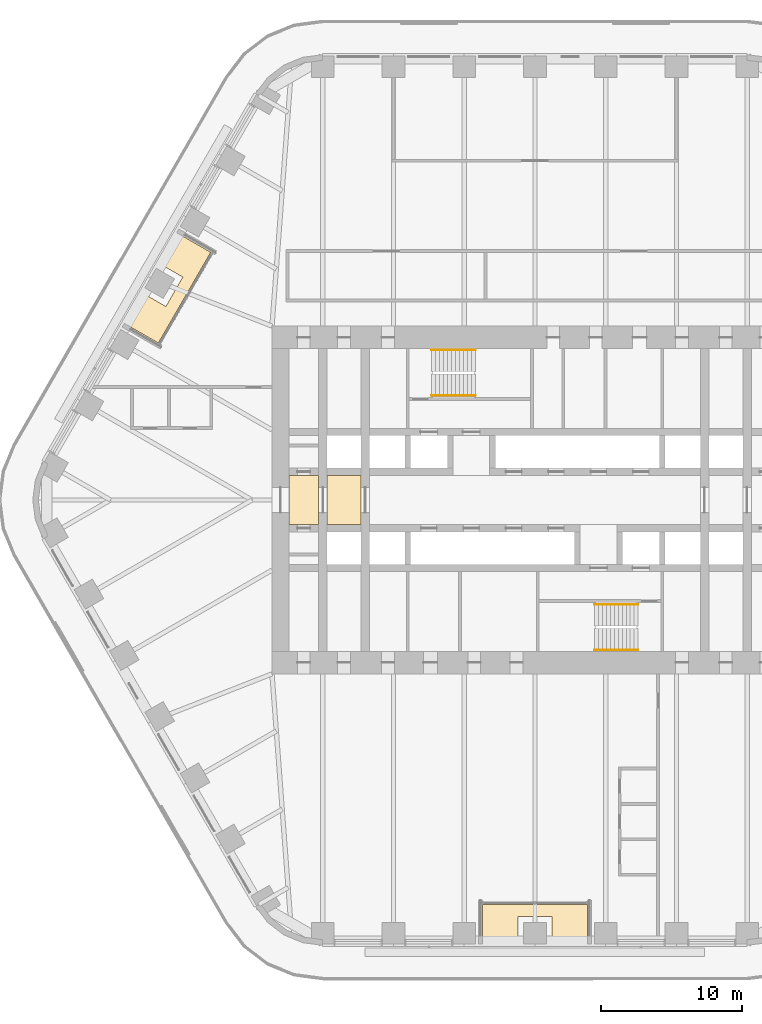
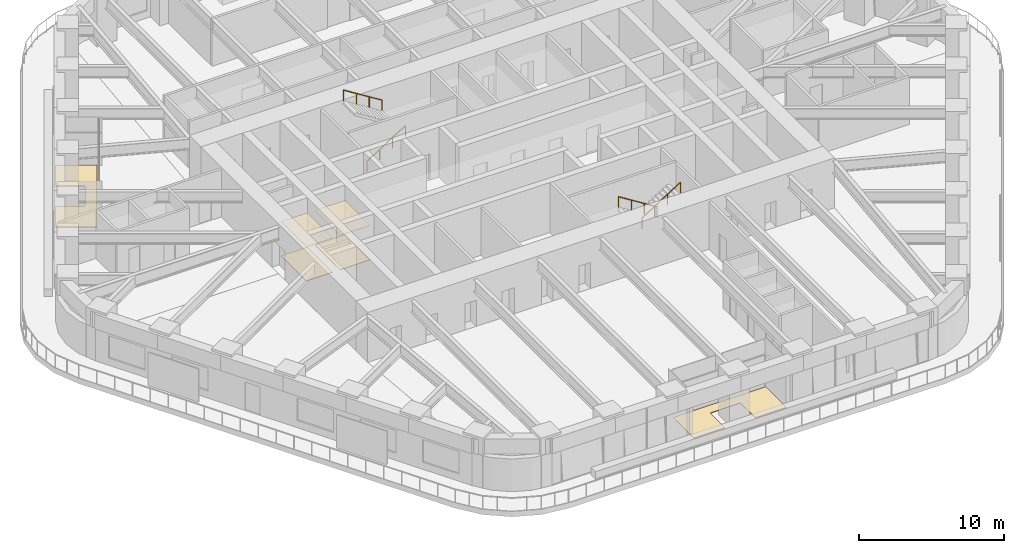
# One storey, part 22 of 24: 6 coverings, 4 railings.
"""IFC4 building model written with IfcOpenShell, lengths in metres."""

from ifc_helpers import new_model, si_unit, direction, frame, origin, origin_2d, place, context, subcontext, project, spatial, polyline, circle, outline, extrude, material, layer, layer_set, type_object, element, save


model = new_model("IFC4")

# Units and contexts
model_context = context("Model", 3, precision=1e-05, world=origin(), true_north=direction((0.0, 1.0)))
body_context = subcontext(model_context, "Body", "Model", "MODEL_VIEW")
ifc_project = project(units=[si_unit("LENGTHUNIT", "METRE"), si_unit("AREAUNIT", "SQUARE_METRE"), si_unit("VOLUMEUNIT", "CUBIC_METRE"), si_unit("PLANEANGLEUNIT", "RADIAN"), si_unit("MASSUNIT", "GRAM", prefix="KILO")], contexts=[model_context])

# Site, building, storey
site_placement = place(None, origin())
site = spatial("IfcSite", under=ifc_project, at=site_placement, CompositionType="ELEMENT")
building_placement = place(site_placement, origin())
building = spatial("IfcBuilding", under=site, at=building_placement, Name="Tarfa Lantern Tower", CompositionType="ELEMENT")
storey_placement = place(building_placement, frame((0.0, 0.0, 140.5)))
storey = spatial("IfcBuildingStorey", under=building, at=storey_placement, Name="L31", CompositionType="ELEMENT", Elevation=140.5)

# Coverings
ifc_material_1 = material(Name="Powder-coated aluminium panel", Category="aluminium")
ifc_layer_1 = layer(ifc_material_1, 0.030029296875)
ifc_layer_set_1 = layer_set([ifc_layer_1], Name="CL3 METAL PANEL CEILING 30")
covering_type_1 = type_object("IfcCoveringType", Name="CL3 METAL PANEL CEILING 30", PredefinedType="CEILING", material=ifc_layer_set_1)
covering_1_placement = place(storey_placement, frame((0.0, 0.0, 2.89990234375)))
element("IfcCovering", 1, at=covering_1_placement, inside=storey, type_object=covering_type_1, Name="Ceiling L31-01", PredefinedType="CEILING", context=body_context, shape_type="SweptSolid", body=[
    extrude(outline(polyline([(-17.39990234375, -1.75), (-15.300048828125, -1.75), (-15.300048828125, 1.75), (-17.39990234375, 1.75), (-17.39990234375, -1.75)])), origin(), (0.0, 0.0, 1.0), 0.030029296875),
])
covering_2_placement = place(storey_placement, frame((0.0, 0.0, 2.89990234375)))
element("IfcCovering", 2, at=covering_2_placement, inside=storey, type_object=covering_type_1, Name="Ceiling L31-02", PredefinedType="CEILING", context=body_context, shape_type="SweptSolid", body=[
    extrude(outline(polyline([(-14.699951171875, -1.75), (-12.300048828125, -1.75), (-12.300048828125, 1.75), (-14.699951171875, 1.75), (-14.699951171875, -1.75)])), origin(), (0.0, 0.0, 1.0), 0.030029296875),
])
ifc_material_2 = material(Name="Honed limestone flooring", Category="masonry")
ifc_layer_2 = layer(ifc_material_2, 0.030029296875)
ifc_layer_set_2 = layer_set([ifc_layer_2], Name="FL2 STONE FLOORING 30")
covering_type_2 = type_object("IfcCoveringType", Name="FL2 STONE FLOORING 30", PredefinedType="FLOORING", material=ifc_layer_set_2)
covering_3_placement = place(storey_placement, origin())
element("IfcCovering", 3, at=covering_3_placement, inside=storey, type_object=covering_type_2, Name="Floor finish L31-01", PredefinedType="FLOORING", context=body_context, shape_type="SweptSolid", body=[
    extrude(outline(polyline([(-17.39990234375, -1.75), (-15.300048828125, -1.75), (-15.300048828125, 1.75), (-17.39990234375, 1.75), (-17.39990234375, -1.75)])), origin(), (0.0, 0.0, 1.0), 0.030029296875),
])
covering_4_placement = place(storey_placement, origin())
element("IfcCovering", 4, at=covering_4_placement, inside=storey, type_object=covering_type_2, Name="Floor finish L31-02", PredefinedType="FLOORING", context=body_context, shape_type="SweptSolid", body=[
    extrude(outline(polyline([(-14.699951171875, -1.75), (-12.300048828125, -1.75), (-12.300048828125, 1.75), (-14.699951171875, 1.75), (-14.699951171875, -1.75)])), origin(), (0.0, 0.0, 1.0), 0.030029296875),
])

# Railings
ifc_material_3 = material(Name="Stainless steel", Category="steel")
railing_type = type_object("IfcRailingType", Name="HR1 HANDRAIL 900", PredefinedType="HANDRAIL", material=ifc_material_3)
railing_1_placement = place(storey_placement, frame((-7.300048828125, 7.3798828125, 0.175048828125)))
element("IfcRailing", 5, at=railing_1_placement, inside=storey, type_object=railing_type, Name="Handrail 1", PredefinedType="HANDRAIL", context=body_context, shape_type="SweptSolid", body=[
    extrude(circle(Radius=0.02392578125, at=origin_2d()), frame((0.0, 0.0, 0.8759765625), z_axis=(0.847998304005, 0.0, 0.529998940003), x_axis=(0.0, 1.0, 0.0)), (0.0, 0.0, 1.0), 3.632080078125),
    extrude(circle(Radius=0.02099609375, at=origin_2d()), frame((0.0, 0.0, 0.0), z_axis=(0.0, 0.0, 1.0), x_axis=(0.0, 1.0, 0.0)), (0.0, 0.0, 1.0), 0.851806640625),
    extrude(circle(Radius=0.02099609375, at=origin_2d()), frame((1.026611328125, 0.0, 0.6416015625), z_axis=(0.0, 0.0, 1.0), x_axis=(0.0, 1.0, 0.0)), (0.0, 0.0, 1.0), 0.851806640625),
    extrude(circle(Radius=0.02099609375, at=origin_2d()), frame((2.053466796875, 0.0, 1.283447265625), z_axis=(0.0, 0.0, 1.0), x_axis=(0.0, 1.0, 0.0)), (0.0, 0.0, 1.0), 0.851806640625),
    extrude(circle(Radius=0.02099609375, at=origin_2d()), frame((3.080078125, 0.0, 1.925048828125), z_axis=(0.0, 0.0, 1.0), x_axis=(0.0, 1.0, 0.0)), (0.0, 0.0, 1.0), 0.851806640625),
])
for number, where, name in (
    (6, (-4.219970703125, 10.6201171875, 2.27490234375), "Handrail 2"),
    (7, (7.300048828125, -7.3798828125, 0.175048828125), "Handrail 1"),
):
    element("IfcRailing", number, at=place(storey_placement, frame(where)), inside=storey, type_object=railing_type, Name=name, PredefinedType="HANDRAIL", context=body_context, shape_type="SweptSolid", body=[
        extrude(circle(Radius=0.02392578125, at=origin_2d()), frame((0.0, 0.0, 0.8759765625), z_axis=(-0.847998304005, 0.0, 0.529998940003), x_axis=(0.0, -1.0, 0.0)), (0.0, 0.0, 1.0), 3.632080078125),
        extrude(circle(Radius=0.02099609375, at=origin_2d()), frame((0.0, 0.0, 0.0), z_axis=(0.0, 0.0, 1.0), x_axis=(0.0, -1.0, 0.0)), (0.0, 0.0, 1.0), 0.851806640625),
        extrude(circle(Radius=0.02099609375, at=origin_2d()), frame((-1.026611328125, 0.0, 0.6416015625), z_axis=(0.0, 0.0, 1.0), x_axis=(0.0, -1.0, 0.0)), (0.0, 0.0, 1.0), 0.851806640625),
        extrude(circle(Radius=0.02099609375, at=origin_2d()), frame((-2.053466796875, 0.0, 1.283447265625), z_axis=(0.0, 0.0, 1.0), x_axis=(0.0, -1.0, 0.0)), (0.0, 0.0, 1.0), 0.851806640625),
        extrude(circle(Radius=0.02099609375, at=origin_2d()), frame((-3.080078125, 0.0, 1.925048828125), z_axis=(0.0, 0.0, 1.0), x_axis=(0.0, -1.0, 0.0)), (0.0, 0.0, 1.0), 0.851806640625),
    ])
railing_2_placement = place(storey_placement, frame((4.219970703125, -10.6201171875, 2.27490234375)))
element("IfcRailing", 8, at=railing_2_placement, inside=storey, type_object=railing_type, Name="Handrail 2", PredefinedType="HANDRAIL", context=body_context, shape_type="SweptSolid", body=[
    extrude(circle(Radius=0.02392578125, at=origin_2d()), frame((0.0, 0.0, 0.8759765625), z_axis=(0.847998304005, 0.0, 0.529998940003), x_axis=(0.0, 1.0, 0.0)), (0.0, 0.0, 1.0), 3.632080078125),
    extrude(circle(Radius=0.02099609375, at=origin_2d()), frame((0.0, 0.0, 0.0), z_axis=(0.0, 0.0, 1.0), x_axis=(0.0, 1.0, 0.0)), (0.0, 0.0, 1.0), 0.851806640625),
    extrude(circle(Radius=0.02099609375, at=origin_2d()), frame((1.026611328125, 0.0, 0.6416015625), z_axis=(0.0, 0.0, 1.0), x_axis=(0.0, 1.0, 0.0)), (0.0, 0.0, 1.0), 0.851806640625),
    extrude(circle(Radius=0.02099609375, at=origin_2d()), frame((2.053466796875, 0.0, 1.283447265625), z_axis=(0.0, 0.0, 1.0), x_axis=(0.0, 1.0, 0.0)), (0.0, 0.0, 1.0), 0.851806640625),
    extrude(circle(Radius=0.02099609375, at=origin_2d()), frame((3.080078125, 0.0, 1.925048828125), z_axis=(0.0, 0.0, 1.0), x_axis=(0.0, 1.0, 0.0)), (0.0, 0.0, 1.0), 0.851806640625),
])

# Coverings
ifc_material_4 = material(Name="Porcelain pavers on pedestals", Category="ceramic")
ifc_layer_3 = layer(ifc_material_4, 0.0400390625)
ifc_layer_set_3 = layer_set([ifc_layer_3], Name="LP1 LOGGIA PAVING 40")
covering_type_3 = type_object("IfcCoveringType", Name="LP1 LOGGIA PAVING 40", PredefinedType="FLOORING", material=ifc_layer_set_3)
covering_5_placement = place(storey_placement, origin())
element("IfcCovering", 9, at=covering_5_placement, inside=storey, type_object=covering_type_3, Name="Loggia paving NW", PredefinedType="FLOORING", context=body_context, shape_type="SweptSolid", body=[
    extrude(outline(polyline([(-25.427978515625, 18.95751953125), (-22.933837890625, 17.517578125), (-26.637451171875, 11.1025390625), (-29.131591796875, 12.54248046875), (-27.8798828125, 14.710693359375), (-26.1044921875, 13.685791015625), (-24.904541015625, 15.76416015625), (-26.6796875, 16.789306640625), (-25.427978515625, 18.95751953125)])), origin(), (0.0, 0.0, 1.0), 0.0400390625),
])
covering_6_placement = place(storey_placement, origin())
element("IfcCovering", 10, at=covering_6_placement, inside=storey, type_object=covering_type_3, Name="Loggia paving S", PredefinedType="FLOORING", context=body_context, shape_type="SweptSolid", body=[
    extrude(outline(polyline([(-3.70361328125, -31.5), (-3.70361328125, -28.6201171875), (3.70361328125, -28.6201171875), (3.70361328125, -31.5), (1.199951171875, -31.5), (1.199951171875, -29.449951171875), (-1.199951171875, -29.449951171875), (-1.199951171875, -31.5), (-3.70361328125, -31.5)])), origin(), (0.0, 0.0, 1.0), 0.0400390625),
])

save(model, "model.ifc")
